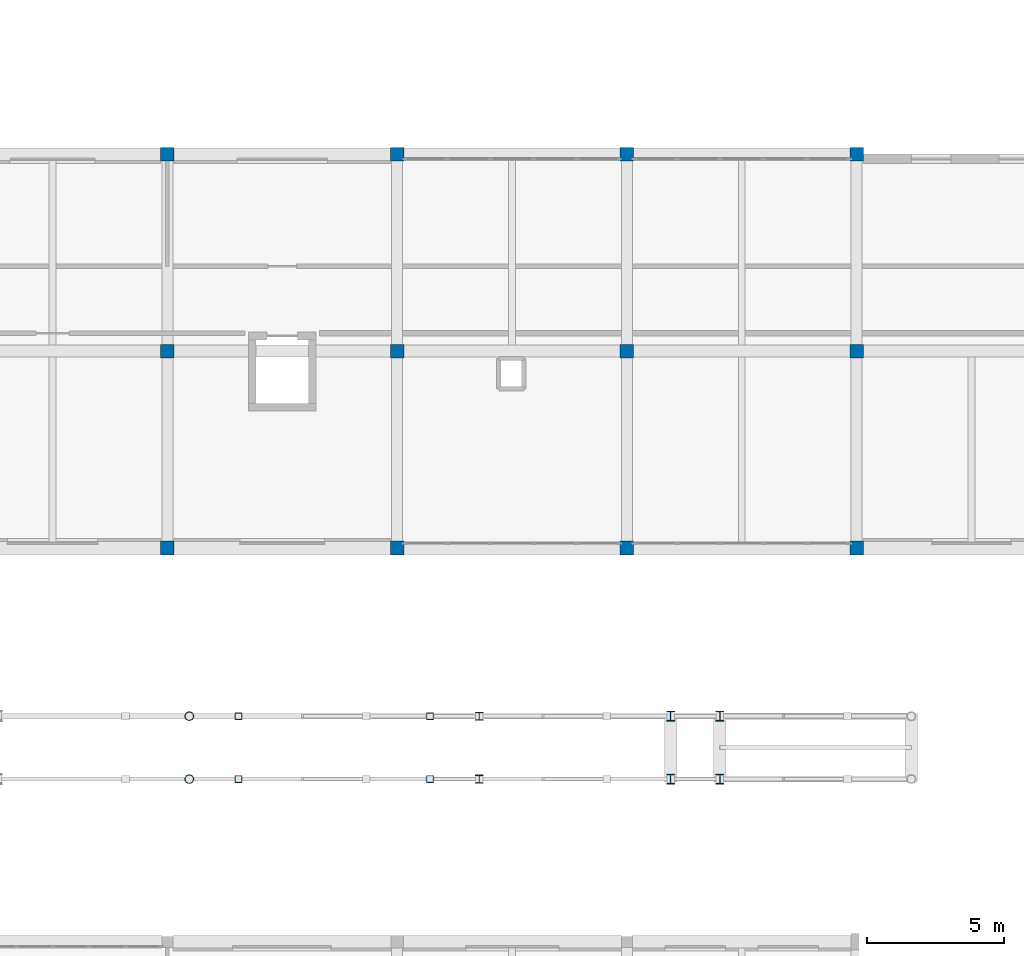
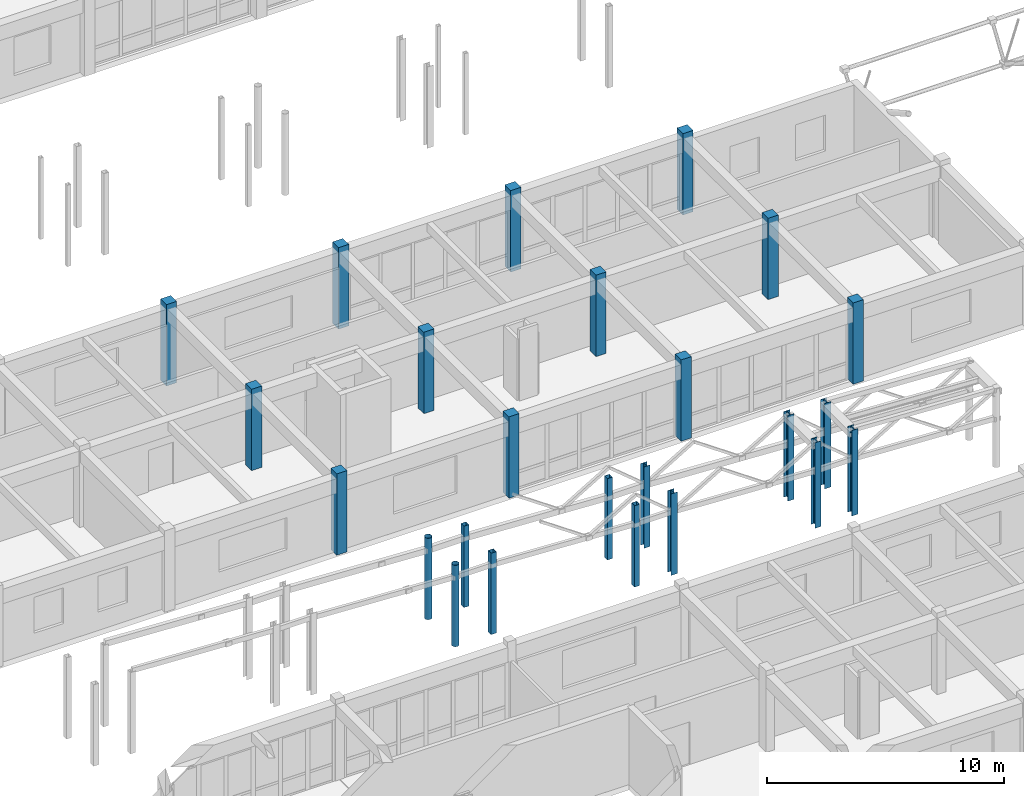
# One storey, part 19 of 90: 24 columns.
"""IFC4 building model written with IfcOpenShell, lengths in metres."""

from ifc_helpers import new_model, si_unit, direction, frame, origin, origin_2d, place, context, subcontext, project, spatial, rectangle, hollow_rectangle, hollow_circle, i_section, extrude, material, material_profile, profile_set, type_object, element, save


model = new_model("IFC4")

# Units and contexts
model_context = context("Model", 3, precision=1e-05, world=origin(), true_north=direction((0.0, 1.0)))
body_context = subcontext(model_context, "Body", "Model", "MODEL_VIEW")
ifc_project = project(units=[si_unit("LENGTHUNIT", "METRE"), si_unit("AREAUNIT", "SQUARE_METRE"), si_unit("VOLUMEUNIT", "CUBIC_METRE"), si_unit("PLANEANGLEUNIT", "RADIAN"), si_unit("MASSUNIT", "GRAM", prefix="KILO")], contexts=[model_context])

# Site, building, storey
site_placement = place(None, origin())
site = spatial("IfcSite", under=ifc_project, at=site_placement, CompositionType="ELEMENT")
building_placement = place(site_placement, origin())
building = spatial("IfcBuilding", under=site, at=building_placement, Name="Malvenik Polytechnic", CompositionType="ELEMENT")
storey_placement = place(building_placement, frame((0.0, 0.0, 9.300048828125)))
storey = spatial("IfcBuildingStorey", under=building, at=storey_placement, Name="L02", CompositionType="ELEMENT", Elevation=9.300048828125)

# Columns
ifc_material_1 = material(Name="Concrete C35/45", Category="concrete")
ifc_material_profile_1 = material_profile(ifc_material_1, rectangle(XDim=0.5, YDim=0.5, at=origin_2d()), Name="RC COL 500x500")
ifc_profile_set_1 = profile_set([ifc_material_profile_1], Name="Concrete C35/45")
column_type_1 = type_object("IfcColumnType", Name="STR-COL-C-08", PredefinedType="COLUMN", material=ifc_profile_set_1)
for number, where, z_axis, x_axis, name in (
    (1, (100.800048828125, 79.199951171875, 0.0), (0.0, 0.0, 1.0), (1.0, 0.0, 0.0), "Column C-08 L02 (100.8,79.2)"),
    (2, (100.800048828125, 86.39990234375, 0.0), (0.0, 0.0, 1.0), (1.0, 0.0, 0.0), "Column C-08 L02 (100.8,86.4)"),
    (3, (100.800048828125, 93.60009765625, 0.0), (0.0, 0.0, 1.0), (1.0, 0.0, 0.0), "Column C-08 L02 (100.8,93.6)"),
    (4, (109.199951171875, 79.199951171875, 0.0), (0.0, 0.0, 1.0), (1.0, 0.0, 0.0), "Column C-08 L02 (109.2,79.2)"),
    (5, (109.199951171875, 86.39990234375, 0.0), (0.0, 0.0, 1.0), (1.0, 0.0, 0.0), "Column C-08 L02 (109.2,86.4)"),
    (6, (109.199951171875, 93.60009765625, 0.0), (0.0, 0.0, 1.0), (1.0, 0.0, 0.0), "Column C-08 L02 (109.2,93.6)"),
    (7, (117.60009765625, 79.199951171875, 0.0), (0.0, 0.0, 1.0), (1.0, 0.0, 0.0), "Column C-08 L02 (117.6,79.2)"),
    (8, (117.60009765625, 86.39990234375, 0.0), (0.0, 0.0, 1.0), (1.0, 0.0, 0.0), "Column C-08 L02 (117.6,86.4)"),
    (9, (117.60009765625, 93.60009765625, 0.0), (0.0, 0.0, 1.0), (1.0, 0.0, 0.0), "Column C-08 L02 (117.6,93.6)"),
    (10, (126.0, 79.199951171875, 0.0), (0.0, 0.0, 1.0), (1.0, 0.0, 0.0), "Column C-08 L02 (126.0,79.2)"),
    (11, (126.0, 86.39990234375, 0.0), (0.0, 0.0, 1.0), (1.0, 0.0, 0.0), "Column C-08 L02 (126.0,86.4)"),
    (12, (126.0, 93.60009765625, 0.0), (0.0, 0.0, 1.0), (1.0, 0.0, 0.0), "Column C-08 L02 (126.0,93.6)"),
):
    element("IfcColumn", number, at=place(storey_placement, frame(where, z_axis=z_axis, x_axis=x_axis)), inside=storey, type_object=column_type_1, Name=name, PredefinedType="COLUMN", context=body_context, shape_type="SweptSolid", body=[
        extrude(rectangle(XDim=0.5, YDim=0.5, at=origin_2d()), origin(), (0.0, 0.0, 1.0), 4.199951171875),
    ])
ifc_material_2 = material(Name="Steel S355J2H", Category="steel")
ifc_material_profile_2 = material_profile(ifc_material_2, hollow_rectangle(XDim=0.25, YDim=0.25, WallThickness=0.010009765625, at=origin_2d()), Name="SHS 250x250x10.0")
ifc_profile_set_2 = profile_set([ifc_material_profile_2], Name="Steel S355J2H")
column_type_2 = type_object("IfcColumnType", Name="STR-SCOL-SC-01", PredefinedType="COLUMN", material=ifc_profile_set_2)
for number, where, z_axis, x_axis, name in (
    (13, (110.39990234375, 70.75, 0.0), (0.0, 0.0, 1.0), (1.0, 0.0, 0.0), "Bridge-Ramp Support Column SC-01 L02"),
    (14, (110.39990234375, 73.050048828125, 0.0), (0.0, 0.0, 1.0), (1.0, 0.0, 0.0), "Bridge-Ramp Support Column SC-01 L02"),
    (15, (103.39990234375, 70.75, 0.0), (0.0, 0.0, 1.0), (1.0, 0.0, 0.0), "Bridge-Ramp Support Column SC-01 L02"),
    (16, (103.39990234375, 73.050048828125, 0.0), (0.0, 0.0, 1.0), (1.0, 0.0, 0.0), "Bridge-Ramp Support Column SC-01 L02"),
):
    element("IfcColumn", number, at=place(storey_placement, frame(where, z_axis=z_axis, x_axis=x_axis)), inside=storey, type_object=column_type_2, Name=name, PredefinedType="COLUMN", context=body_context, shape_type="SweptSolid", body=[
        extrude(hollow_rectangle(XDim=0.25, YDim=0.25, WallThickness=0.010009765625, at=origin_2d()), origin(), (0.0, 0.0, 1.0), 4.199951171875),
    ])
ifc_material_3 = material(Name="Steel S355", Category="steel")
ifc_material_profile_3 = material_profile(ifc_material_3, i_section(OverallWidth=0.300048828125, OverallDepth=0.360107421875, WebThickness=0.012451171875, FlangeThickness=0.0224609375, FilletRadius=0.027099609375, at=origin_2d()), Name="HEB 360")
ifc_profile_set_3 = profile_set([ifc_material_profile_3], Name="Steel S355")
column_type_3 = type_object("IfcColumnType", Name="STR-SCOL-SC-03", PredefinedType="COLUMN", material=ifc_profile_set_3)
for number, where, z_axis, x_axis, name in (
    (17, (121.0, 70.75, 0.0), (0.0, 0.0, 1.0), (1.0, 0.0, 0.0), "Bridge-Ramp Support Column SC-03 L02"),
    (18, (121.0, 73.050048828125, 0.0), (0.0, 0.0, 1.0), (1.0, 0.0, 0.0), "Bridge-Ramp Support Column SC-03 L02"),
    (19, (119.199951171875, 70.75, 0.0), (0.0, 0.0, 1.0), (1.0, 0.0, 0.0), "Bridge-Ramp Support Column SC-03 L02"),
    (20, (119.199951171875, 73.050048828125, 0.0), (0.0, 0.0, 1.0), (1.0, 0.0, 0.0), "Bridge-Ramp Support Column SC-03 L02"),
):
    element("IfcColumn", number, at=place(storey_placement, frame(where, z_axis=z_axis, x_axis=x_axis)), inside=storey, type_object=column_type_3, Name=name, PredefinedType="COLUMN", context=body_context, shape_type="SweptSolid", body=[
        extrude(i_section(OverallWidth=0.300048828125, OverallDepth=0.360107421875, WebThickness=0.012451171875, FlangeThickness=0.0224609375, FilletRadius=0.027099609375, at=origin_2d()), origin(), (0.0, 0.0, 1.0), 4.409912109375),
    ])
ifc_material_profile_4 = material_profile(ifc_material_2, hollow_circle(Radius=0.161865234375, WallThickness=0.012451171875, at=origin_2d()), Name="CHS 323.9x12.5")
ifc_profile_set_4 = profile_set([ifc_material_profile_4], Name="Steel S355J2H")
column_type_4 = type_object("IfcColumnType", Name="STR-SCOL-SC-04", PredefinedType="COLUMN", material=ifc_profile_set_4)
for number, where, z_axis, x_axis, name in (
    (21, (101.60009765625, 70.75, 0.0), (0.0, 0.0, 1.0), (1.0, 0.0, 0.0), "Bridge-Ramp Support Column SC-04 L02"),
    (22, (101.60009765625, 73.050048828125, 0.0), (0.0, 0.0, 1.0), (1.0, 0.0, 0.0), "Bridge-Ramp Support Column SC-04 L02"),
):
    element("IfcColumn", number, at=place(storey_placement, frame(where, z_axis=z_axis, x_axis=x_axis)), inside=storey, type_object=column_type_4, Name=name, PredefinedType="COLUMN", context=body_context, shape_type="SweptSolid", body=[
        extrude(hollow_circle(Radius=0.161865234375, WallThickness=0.012451171875, at=origin_2d()), origin(), (0.0, 0.0, 1.0), 4.199951171875),
    ])
ifc_material_profile_5 = material_profile(ifc_material_3, i_section(OverallWidth=0.300048828125, OverallDepth=0.300048828125, WebThickness=0.010986328125, FlangeThickness=0.01904296875, FilletRadius=0.027099609375, at=origin_2d()), Name="HEB 300")
ifc_profile_set_5 = profile_set([ifc_material_profile_5], Name="Steel S355")
column_type_5 = type_object("IfcColumnType", Name="STR-SCOL-SC-05", PredefinedType="COLUMN", material=ifc_profile_set_5)
for number, where, z_axis, x_axis, name in (
    (23, (112.199951171875, 70.75, 0.0), (0.0, 0.0, 1.0), (1.0, 0.0, 0.0), "Bridge-Ramp Support Column SC-05 L02"),
    (24, (112.199951171875, 73.050048828125, 0.0), (0.0, 0.0, 1.0), (1.0, 0.0, 0.0), "Bridge-Ramp Support Column SC-05 L02"),
):
    element("IfcColumn", number, at=place(storey_placement, frame(where, z_axis=z_axis, x_axis=x_axis)), inside=storey, type_object=column_type_5, Name=name, PredefinedType="COLUMN", context=body_context, shape_type="SweptSolid", body=[
        extrude(i_section(OverallWidth=0.300048828125, OverallDepth=0.300048828125, WebThickness=0.010986328125, FlangeThickness=0.01904296875, FilletRadius=0.027099609375, at=origin_2d()), origin(), (0.0, 0.0, 1.0), 4.199951171875),
    ])

save(model, "model.ifc")
